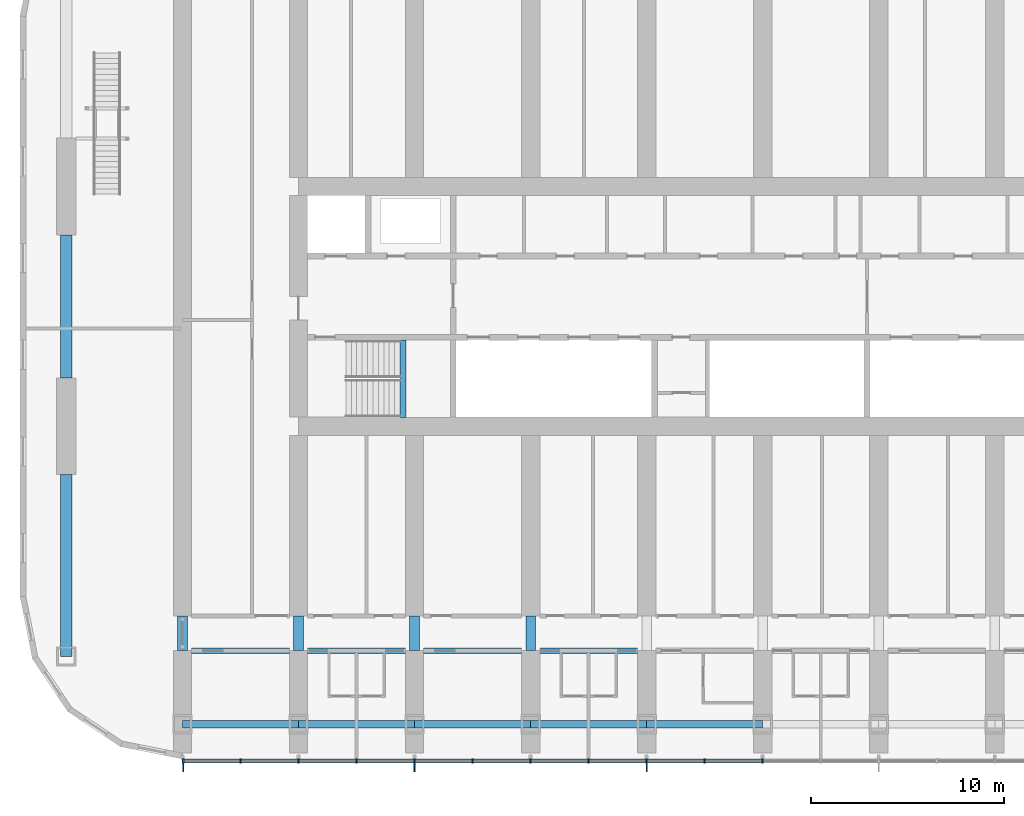
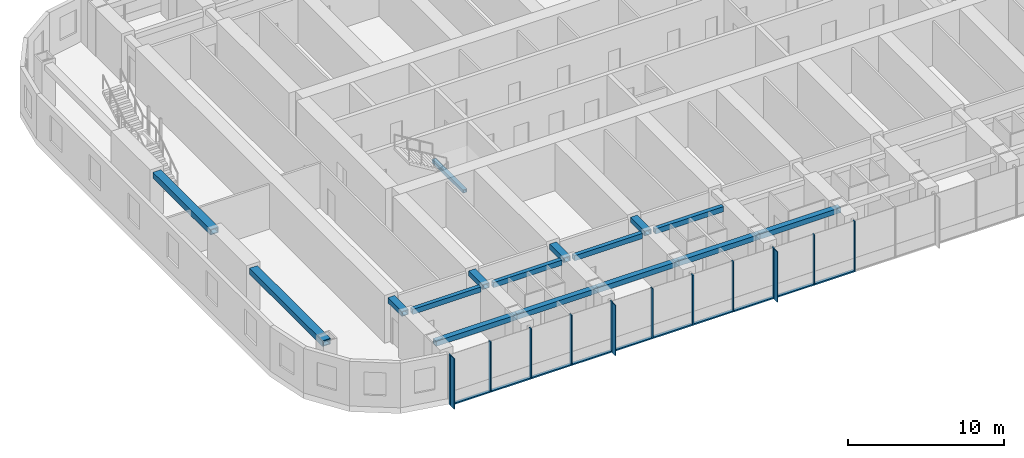
# One storey, part 4 of 25: 24 members, 16 beams, 1 element without a shape of its own.
"""IFC4 building model written with IfcOpenShell, lengths in metres."""

from ifc_helpers import new_model, si_unit, direction, frame, origin, origin_2d, place, context, subcontext, project, spatial, rectangle, hollow_rectangle, extrude, material, material_profile, profile_set, type_object, element, aggregate, save


model = new_model("IFC4")

# Units and contexts
model_context = context("Model", 3, precision=1e-05, world=origin(), true_north=direction((0.0, 1.0)))
body_context = subcontext(model_context, "Body", "Model", "MODEL_VIEW")
ifc_project = project(units=[si_unit("LENGTHUNIT", "METRE"), si_unit("AREAUNIT", "SQUARE_METRE"), si_unit("VOLUMEUNIT", "CUBIC_METRE"), si_unit("PLANEANGLEUNIT", "RADIAN"), si_unit("MASSUNIT", "GRAM", prefix="KILO")], contexts=[model_context])

# Site, building, storey
site_placement = place(None, origin())
site = spatial("IfcSite", under=ifc_project, at=site_placement, CompositionType="ELEMENT")
building_placement = place(site_placement, origin())
building = spatial("IfcBuilding", under=site, at=building_placement, Name="Orbita Commons", CompositionType="ELEMENT")
storey_placement = place(building_placement, frame((0.0, 0.0, 99.39990234375)))
storey = spatial("IfcBuildingStorey", under=building, at=storey_placement, Name="L24", CompositionType="ELEMENT", Elevation=99.39990234375)

# Curtain wall, members
ifc_material_1 = material(Name="Anodised aluminium frame, pale silver", Category="aluminium")
curtain_wall_type = type_object("IfcCurtainWallType", Name="Unitised curtain wall CW-T, vision and spandrel", PredefinedType="NOTDEFINED", material=ifc_material_1)
curtain_wall_placement = place(storey_placement, origin())
curtain_wall = element("IfcCurtainWall", 1, at=curtain_wall_placement, inside=storey, type_object=curtain_wall_type, Name="Curtain wall south L24", PredefinedType="NOTDEFINED")
ifc_material_2 = material(Name="Anodised aluminium, pale silver", Category="aluminium")
ifc_material_profile_1 = material_profile(ifc_material_2, rectangle(XDim=0.080078125, YDim=0.219970703125, at=origin_2d()), Name="AL 80x220")
ifc_profile_set_1 = profile_set([ifc_material_profile_1], Name="Anodised aluminium, pale silver")
member_type_1 = type_object("IfcMemberType", Name="Curtain wall mullion 80x220", PredefinedType="MULLION", material=ifc_profile_set_1)
member_1_placement = place(storey_placement, frame((12.0400390625, 8.489990234375, -0.449951171875), z_axis=(0.0, 0.0, 1.0), x_axis=(1.0, 0.0, 0.0)))
member_1 = element("IfcMember", 2, at=member_1_placement, type_object=member_type_1, Name="Mullion 1 CW-L24-S", PredefinedType="MULLION", context=body_context, shape_type="SweptSolid", body=[
    extrude(rectangle(XDim=0.080078125, YDim=0.219970703125, at=origin_2d()), origin(), (0.0, 0.0, 1.0), 3.949951171875),
])
member_2_placement = place(storey_placement, frame((15.0, 8.489990234375, -0.449951171875), z_axis=(0.0, 0.0, 1.0), x_axis=(1.0, 0.0, 0.0)))
member_2 = element("IfcMember", 3, at=member_2_placement, type_object=member_type_1, Name="Mullion 2 CW-L24-S", PredefinedType="MULLION", context=body_context, shape_type="SweptSolid", body=[
    extrude(rectangle(XDim=0.080078125, YDim=0.219970703125, at=origin_2d()), origin(), (0.0, 0.0, 1.0), 3.949951171875),
])
member_3_placement = place(storey_placement, frame((18.0, 8.489990234375, -0.449951171875), z_axis=(0.0, 0.0, 1.0), x_axis=(1.0, 0.0, 0.0)))
member_3 = element("IfcMember", 4, at=member_3_placement, type_object=member_type_1, Name="Mullion 3 CW-L24-S", PredefinedType="MULLION", context=body_context, shape_type="SweptSolid", body=[
    extrude(rectangle(XDim=0.080078125, YDim=0.219970703125, at=origin_2d()), origin(), (0.0, 0.0, 1.0), 3.949951171875),
])
member_4_placement = place(storey_placement, frame((21.0, 8.489990234375, -0.449951171875), z_axis=(0.0, 0.0, 1.0), x_axis=(1.0, 0.0, 0.0)))
member_4 = element("IfcMember", 5, at=member_4_placement, type_object=member_type_1, Name="Mullion 4 CW-L24-S", PredefinedType="MULLION", context=body_context, shape_type="SweptSolid", body=[
    extrude(rectangle(XDim=0.080078125, YDim=0.219970703125, at=origin_2d()), origin(), (0.0, 0.0, 1.0), 3.949951171875),
])
member_5_placement = place(storey_placement, frame((24.0, 8.489990234375, -0.449951171875), z_axis=(0.0, 0.0, 1.0), x_axis=(1.0, 0.0, 0.0)))
member_5 = element("IfcMember", 6, at=member_5_placement, type_object=member_type_1, Name="Mullion 5 CW-L24-S", PredefinedType="MULLION", context=body_context, shape_type="SweptSolid", body=[
    extrude(rectangle(XDim=0.080078125, YDim=0.219970703125, at=origin_2d()), origin(), (0.0, 0.0, 1.0), 3.949951171875),
])
member_6_placement = place(storey_placement, frame((27.0, 8.489990234375, -0.449951171875), z_axis=(0.0, 0.0, 1.0), x_axis=(1.0, 0.0, 0.0)))
member_6 = element("IfcMember", 7, at=member_6_placement, type_object=member_type_1, Name="Mullion 6 CW-L24-S", PredefinedType="MULLION", context=body_context, shape_type="SweptSolid", body=[
    extrude(rectangle(XDim=0.080078125, YDim=0.219970703125, at=origin_2d()), origin(), (0.0, 0.0, 1.0), 3.949951171875),
])
member_7_placement = place(storey_placement, frame((30.0, 8.489990234375, -0.449951171875), z_axis=(0.0, 0.0, 1.0), x_axis=(1.0, 0.0, 0.0)))
member_7 = element("IfcMember", 8, at=member_7_placement, type_object=member_type_1, Name="Mullion 7 CW-L24-S", PredefinedType="MULLION", context=body_context, shape_type="SweptSolid", body=[
    extrude(rectangle(XDim=0.080078125, YDim=0.219970703125, at=origin_2d()), origin(), (0.0, 0.0, 1.0), 3.949951171875),
])
member_8_placement = place(storey_placement, frame((33.0, 8.489990234375, -0.449951171875), z_axis=(0.0, 0.0, 1.0), x_axis=(1.0, 0.0, 0.0)))
member_8 = element("IfcMember", 9, at=member_8_placement, type_object=member_type_1, Name="Mullion 8 CW-L24-S", PredefinedType="MULLION", context=body_context, shape_type="SweptSolid", body=[
    extrude(rectangle(XDim=0.080078125, YDim=0.219970703125, at=origin_2d()), origin(), (0.0, 0.0, 1.0), 3.949951171875),
])
member_9_placement = place(storey_placement, frame((36.0, 8.489990234375, -0.449951171875), z_axis=(0.0, 0.0, 1.0), x_axis=(1.0, 0.0, 0.0)))
member_9 = element("IfcMember", 10, at=member_9_placement, type_object=member_type_1, Name="Mullion 9 CW-L24-S", PredefinedType="MULLION", context=body_context, shape_type="SweptSolid", body=[
    extrude(rectangle(XDim=0.080078125, YDim=0.219970703125, at=origin_2d()), origin(), (0.0, 0.0, 1.0), 3.949951171875),
])
member_10_placement = place(storey_placement, frame((39.0, 8.489990234375, -0.449951171875), z_axis=(0.0, 0.0, 1.0), x_axis=(1.0, 0.0, 0.0)))
member_10 = element("IfcMember", 11, at=member_10_placement, type_object=member_type_1, Name="Mullion 10 CW-L24-S", PredefinedType="MULLION", context=body_context, shape_type="SweptSolid", body=[
    extrude(rectangle(XDim=0.080078125, YDim=0.219970703125, at=origin_2d()), origin(), (0.0, 0.0, 1.0), 3.949951171875),
])
member_11_placement = place(storey_placement, frame((42.0, 8.489990234375, -0.449951171875), z_axis=(0.0, 0.0, 1.0), x_axis=(1.0, 0.0, 0.0)))
member_11 = element("IfcMember", 12, at=member_11_placement, type_object=member_type_1, Name="Mullion 11 CW-L24-S", PredefinedType="MULLION", context=body_context, shape_type="SweptSolid", body=[
    extrude(rectangle(XDim=0.080078125, YDim=0.219970703125, at=origin_2d()), origin(), (0.0, 0.0, 1.0), 3.949951171875),
])
ifc_material_3 = material(Name="Anodised aluminium, pale silver", Category="aluminium")
ifc_material_profile_2 = material_profile(ifc_material_3, rectangle(XDim=0.219970703125, YDim=0.10009765625, at=origin_2d()), Name="AL 220x100")
ifc_profile_set_2 = profile_set([ifc_material_profile_2], Name="Anodised aluminium, pale silver")
member_type_2 = type_object("IfcMemberType", Name="Curtain wall stack transom 220x100", PredefinedType="USERDEFINED", material=ifc_profile_set_2)
member_12_placement = place(storey_placement, frame((12.080078125, 8.489990234375, -0.39990234375), z_axis=(1.0, 0.0, 0.0), x_axis=(0.0, 1.0, 0.0)))
member_12 = element("IfcMember", 13, at=member_12_placement, type_object=member_type_2, Name="Transom 1.1 CW-L24-S", ObjectType="TRANSOM", PredefinedType="USERDEFINED", context=body_context, shape_type="SweptSolid", body=[
    extrude(rectangle(XDim=0.219970703125, YDim=0.10009765625, at=origin_2d()), origin(), (0.0, 0.0, 1.0), 2.8798828125),
])
member_13_placement = place(storey_placement, frame((15.0400390625, 8.489990234375, -0.39990234375), z_axis=(1.0, 0.0, 0.0), x_axis=(0.0, 1.0, 0.0)))
member_13 = element("IfcMember", 14, at=member_13_placement, type_object=member_type_2, Name="Transom 2.1 CW-L24-S", ObjectType="TRANSOM", PredefinedType="USERDEFINED", context=body_context, shape_type="SweptSolid", body=[
    extrude(rectangle(XDim=0.219970703125, YDim=0.10009765625, at=origin_2d()), origin(), (0.0, 0.0, 1.0), 2.919921875),
])
member_14_placement = place(storey_placement, frame((18.0400390625, 8.489990234375, -0.39990234375), z_axis=(1.0, 0.0, 0.0), x_axis=(0.0, 1.0, 0.0)))
member_14 = element("IfcMember", 15, at=member_14_placement, type_object=member_type_2, Name="Transom 3.1 CW-L24-S", ObjectType="TRANSOM", PredefinedType="USERDEFINED", context=body_context, shape_type="SweptSolid", body=[
    extrude(rectangle(XDim=0.219970703125, YDim=0.10009765625, at=origin_2d()), origin(), (0.0, 0.0, 1.0), 2.919921875),
])
member_15_placement = place(storey_placement, frame((21.0400390625, 8.489990234375, -0.39990234375), z_axis=(1.0, 0.0, 0.0), x_axis=(0.0, 1.0, 0.0)))
member_15 = element("IfcMember", 16, at=member_15_placement, type_object=member_type_2, Name="Transom 4.1 CW-L24-S", ObjectType="TRANSOM", PredefinedType="USERDEFINED", context=body_context, shape_type="SweptSolid", body=[
    extrude(rectangle(XDim=0.219970703125, YDim=0.10009765625, at=origin_2d()), origin(), (0.0, 0.0, 1.0), 2.919921875),
])
member_16_placement = place(storey_placement, frame((24.0400390625, 8.489990234375, -0.39990234375), z_axis=(1.0, 0.0, 0.0), x_axis=(0.0, 1.0, 0.0)))
member_16 = element("IfcMember", 17, at=member_16_placement, type_object=member_type_2, Name="Transom 5.1 CW-L24-S", ObjectType="TRANSOM", PredefinedType="USERDEFINED", context=body_context, shape_type="SweptSolid", body=[
    extrude(rectangle(XDim=0.219970703125, YDim=0.10009765625, at=origin_2d()), origin(), (0.0, 0.0, 1.0), 2.919921875),
])
member_17_placement = place(storey_placement, frame((27.0400390625, 8.489990234375, -0.39990234375), z_axis=(1.0, 0.0, 0.0), x_axis=(0.0, 1.0, 0.0)))
member_17 = element("IfcMember", 18, at=member_17_placement, type_object=member_type_2, Name="Transom 6.1 CW-L24-S", ObjectType="TRANSOM", PredefinedType="USERDEFINED", context=body_context, shape_type="SweptSolid", body=[
    extrude(rectangle(XDim=0.219970703125, YDim=0.10009765625, at=origin_2d()), origin(), (0.0, 0.0, 1.0), 2.919921875),
])
member_18_placement = place(storey_placement, frame((30.0400390625, 8.489990234375, -0.39990234375), z_axis=(1.0, 0.0, 0.0), x_axis=(0.0, 1.0, 0.0)))
member_18 = element("IfcMember", 19, at=member_18_placement, type_object=member_type_2, Name="Transom 7.1 CW-L24-S", ObjectType="TRANSOM", PredefinedType="USERDEFINED", context=body_context, shape_type="SweptSolid", body=[
    extrude(rectangle(XDim=0.219970703125, YDim=0.10009765625, at=origin_2d()), origin(), (0.0, 0.0, 1.0), 2.919921875),
])
member_19_placement = place(storey_placement, frame((33.0400390625, 8.489990234375, -0.39990234375), z_axis=(1.0, 0.0, 0.0), x_axis=(0.0, 1.0, 0.0)))
member_19 = element("IfcMember", 20, at=member_19_placement, type_object=member_type_2, Name="Transom 8.1 CW-L24-S", ObjectType="TRANSOM", PredefinedType="USERDEFINED", context=body_context, shape_type="SweptSolid", body=[
    extrude(rectangle(XDim=0.219970703125, YDim=0.10009765625, at=origin_2d()), origin(), (0.0, 0.0, 1.0), 2.919921875),
])
member_20_placement = place(storey_placement, frame((36.0400390625, 8.489990234375, -0.39990234375), z_axis=(1.0, 0.0, 0.0), x_axis=(0.0, 1.0, 0.0)))
member_20 = element("IfcMember", 21, at=member_20_placement, type_object=member_type_2, Name="Transom 9.1 CW-L24-S", ObjectType="TRANSOM", PredefinedType="USERDEFINED", context=body_context, shape_type="SweptSolid", body=[
    extrude(rectangle(XDim=0.219970703125, YDim=0.10009765625, at=origin_2d()), origin(), (0.0, 0.0, 1.0), 2.919921875),
])
member_21_placement = place(storey_placement, frame((39.0400390625, 8.489990234375, -0.39990234375), z_axis=(1.0, 0.0, 0.0), x_axis=(0.0, 1.0, 0.0)))
member_21 = element("IfcMember", 22, at=member_21_placement, type_object=member_type_2, Name="Transom 10.1 CW-L24-S", ObjectType="TRANSOM", PredefinedType="USERDEFINED", context=body_context, shape_type="SweptSolid", body=[
    extrude(rectangle(XDim=0.219970703125, YDim=0.10009765625, at=origin_2d()), origin(), (0.0, 0.0, 1.0), 2.919921875),
])

# Beams
ifc_material_4 = material(Name="Steel ASTM A572 Gr 50 welded plate", Category="steel")
ifc_material_profile_3 = material_profile(ifc_material_4, hollow_rectangle(XDim=0.300048828125, YDim=0.25, WallThickness=0.02490234375, at=origin_2d()), Name="BOX 250x300x25")
ifc_profile_set_3 = profile_set([ifc_material_profile_3], Name="Steel ASTM A572 Gr 50 welded plate")
beam_type_1 = type_object("IfcBeamType", Name="Stair landing beam steel BOX 250x300x25", PredefinedType="BEAM", material=ifc_profile_set_3)
beam_1_placement = place(storey_placement, frame((23.39990234375, 26.260009765625, 1.550048828125), z_axis=(0.0, 1.0, 0.0), x_axis=(-1.0, 0.0, 0.0)))
element("IfcBeam", 23, at=beam_1_placement, inside=storey, type_object=beam_type_1, Name="Stair S1 landing beam L24 1", PredefinedType="BEAM", context=body_context, shape_type="SweptSolid", body=[
    extrude(hollow_rectangle(XDim=0.300048828125, YDim=0.25, WallThickness=0.02490234375, at=origin_2d()), origin(), (0.0, 0.0, 1.0), 4.0048828125),
])
ifc_material_5 = material(Name="Steel ASTM A572 Gr 50 welded plate", Category="steel")
ifc_material_profile_4 = material_profile(ifc_material_5, hollow_rectangle(XDim=0.300048828125, YDim=0.39990234375, WallThickness=0.0400390625, at=origin_2d()), Name="BOX 400x300x40")
ifc_profile_set_4 = profile_set([ifc_material_profile_4], Name="Steel ASTM A572 Gr 50 welded plate")
beam_type_2 = type_object("IfcBeamType", Name="Steel corridor link BOX 400x300x40", PredefinedType="BEAM", material=ifc_profile_set_4)
for number, where, z_axis, x_axis, name in (
    (24, (12.47509765625, 14.199951171875, 3.300048828125), (1.0, 0.0, 0.0), (0.0, 1.0, 0.0), "Corridor beam SA 3-4 L24"),
    (25, (18.47509765625, 14.199951171875, 3.300048828125), (1.0, 0.0, 0.0), (0.0, 1.0, 0.0), "Corridor beam SA 4-5 L24"),
    (26, (24.47509765625, 14.199951171875, 3.300048828125), (1.0, 0.0, 0.0), (0.0, 1.0, 0.0), "Corridor beam SA 5-6 L24"),
    (27, (30.47509765625, 14.199951171875, 3.300048828125), (1.0, 0.0, 0.0), (0.0, 1.0, 0.0), "Corridor beam SA 6-7 L24"),
):
    element("IfcBeam", number, at=place(storey_placement, frame(where, z_axis=z_axis, x_axis=x_axis)), inside=storey, type_object=beam_type_2, Name=name, PredefinedType="BEAM", context=body_context, shape_type="SweptSolid", body=[
        extrude(hollow_rectangle(XDim=0.300048828125, YDim=0.39990234375, WallThickness=0.0400390625, at=origin_2d()), origin(), (0.0, 0.0, 1.0), 5.0498046875),
    ])
ifc_material_6 = material(Name="Steel ASTM A572 Gr 50 welded plate", Category="steel")
ifc_material_profile_5 = material_profile(ifc_material_6, hollow_rectangle(XDim=0.5, YDim=0.39990234375, WallThickness=0.050048828125, at=origin_2d()), Name="BOX 400x500x50")
ifc_profile_set_5 = profile_set([ifc_material_profile_5], Name="Steel ASTM A572 Gr 50 welded plate")
beam_type_3 = type_object("IfcBeamType", Name="Steel coupling link BOX 400x500x50", PredefinedType="LINTEL", material=ifc_profile_set_5)
for number, where, z_axis, x_axis, name in (
    (28, (12.0, 14.199951171875, 3.300048828125), (0.0, 1.0, 0.0), (-1.0, 0.0, 0.0), "Coupling beam 3 south L24"),
    (29, (18.0, 14.199951171875, 3.300048828125), (0.0, 1.0, 0.0), (-1.0, 0.0, 0.0), "Coupling beam 4 south L24"),
    (30, (24.0, 14.199951171875, 3.300048828125), (0.0, 1.0, 0.0), (-1.0, 0.0, 0.0), "Coupling beam 5 south L24"),
    (31, (30.0, 14.199951171875, 3.300048828125), (0.0, 1.0, 0.0), (-1.0, 0.0, 0.0), "Coupling beam 6 south L24"),
):
    element("IfcBeam", number, at=place(storey_placement, frame(where, z_axis=z_axis, x_axis=x_axis)), inside=storey, type_object=beam_type_3, Name=name, PredefinedType="LINTEL", context=body_context, shape_type="SweptSolid", body=[
        extrude(hollow_rectangle(XDim=0.5, YDim=0.39990234375, WallThickness=0.050048828125, at=origin_2d()), origin(), (0.0, 0.0, 1.0), 1.800048828125),
    ])
ifc_material_7 = material(Name="Steel ASTM A572 Gr 50 welded plate", Category="steel")
ifc_material_profile_6 = material_profile(ifc_material_7, hollow_rectangle(XDim=0.60009765625, YDim=0.449951171875, WallThickness=0.06005859375, at=origin_2d()), Name="BOX 450x600x60")
ifc_profile_set_6 = profile_set([ifc_material_profile_6], Name="Steel ASTM A572 Gr 50 welded plate")
beam_type_4 = type_object("IfcBeamType", Name="Steel end frame link BOX 450x600x60", PredefinedType="BEAM", material=ifc_profile_set_6)
beam_2_placement = place(storey_placement, frame((6.0, 13.89990234375, 3.275146484375), z_axis=(0.0, 1.0, 0.0), x_axis=(-1.0, 0.0, 0.0)))
element("IfcBeam", 32, at=beam_2_placement, inside=storey, type_object=beam_type_4, Name="End frame beam 2 B-C L24", PredefinedType="BEAM", context=body_context, shape_type="SweptSolid", body=[
    extrude(hollow_rectangle(XDim=0.60009765625, YDim=0.449951171875, WallThickness=0.06005859375, at=origin_2d()), origin(), (0.0, 0.0, 1.0), 9.400146484375),
])
beam_3_placement = place(storey_placement, frame((6.0, 28.300048828125, 3.275146484375), z_axis=(0.0, 1.0, 0.0), x_axis=(-1.0, 0.0, 0.0)))
element("IfcBeam", 33, at=beam_3_placement, inside=storey, type_object=beam_type_4, Name="End frame beam 2 C-D L24", PredefinedType="BEAM", context=body_context, shape_type="SweptSolid", body=[
    extrude(hollow_rectangle(XDim=0.60009765625, YDim=0.449951171875, WallThickness=0.06005859375, at=origin_2d()), origin(), (0.0, 0.0, 1.0), 7.39990234375),
])
ifc_material_8 = material(Name="Steel ASTM A572 Gr 50 welded plate", Category="steel")
ifc_material_profile_7 = material_profile(ifc_material_8, hollow_rectangle(XDim=0.39990234375, YDim=0.39990234375, WallThickness=0.0400390625, at=origin_2d()), Name="BOX 400x400x40")
ifc_profile_set_7 = profile_set([ifc_material_profile_7], Name="Steel ASTM A572 Gr 50 welded plate")
beam_type_5 = type_object("IfcBeamType", Name="Steel spandrel BOX 400x400x40", PredefinedType="SPANDREL", material=ifc_profile_set_7)
for number, where, z_axis, x_axis, name in (
    (34, (12.0, 10.39990234375, 3.300048828125), (1.0, 0.0, 0.0), (0.0, 1.0, 0.0), "Spandrel beam B 3-4 L24"),
    (35, (18.0, 10.39990234375, 3.300048828125), (1.0, 0.0, 0.0), (0.0, 1.0, 0.0), "Spandrel beam B 4-5 L24"),
    (36, (24.0, 10.39990234375, 3.300048828125), (1.0, 0.0, 0.0), (0.0, 1.0, 0.0), "Spandrel beam B 5-6 L24"),
    (37, (30.0, 10.39990234375, 3.300048828125), (1.0, 0.0, 0.0), (0.0, 1.0, 0.0), "Spandrel beam B 6-7 L24"),
    (38, (36.0, 10.39990234375, 3.300048828125), (1.0, 0.0, 0.0), (0.0, 1.0, 0.0), "Spandrel beam B 7-8 L24"),
):
    element("IfcBeam", number, at=place(storey_placement, frame(where, z_axis=z_axis, x_axis=x_axis)), inside=storey, type_object=beam_type_5, Name=name, PredefinedType="SPANDREL", context=body_context, shape_type="SweptSolid", body=[
        extrude(hollow_rectangle(XDim=0.39990234375, YDim=0.39990234375, WallThickness=0.0400390625, at=origin_2d()), origin(), (0.0, 0.0, 1.0), 6.0),
    ])

# Member
ifc_material_9 = material(Name="Anodised aluminium, pale silver", Category="aluminium")
ifc_material_profile_8 = material_profile(ifc_material_9, rectangle(XDim=0.06005859375, YDim=0.449951171875, at=origin_2d()), Name="FIN 60x450")
ifc_profile_set_8 = profile_set([ifc_material_profile_8], Name="Anodised aluminium, pale silver")
member_type_3 = type_object("IfcMemberType", Name="Vertical fin 60x450 pale aluminium", PredefinedType="USERDEFINED", material=ifc_profile_set_8)
member_22_placement = place(storey_placement, frame((12.0400390625, 8.155029296875, -0.449951171875), z_axis=(0.0, 0.0, 1.0), x_axis=(1.0, 0.0, 0.0)))
member_22 = element("IfcMember", 39, at=member_22_placement, type_object=member_type_3, Name="Fin 1 CW-L24-S", ObjectType="FIN", PredefinedType="USERDEFINED", context=body_context, shape_type="SweptSolid", body=[
    extrude(rectangle(XDim=0.06005859375, YDim=0.449951171875, at=origin_2d()), origin(), (0.0, 0.0, 1.0), 3.949951171875),
])

member_23_placement = place(storey_placement, frame((24.0, 8.155029296875, -0.449951171875), z_axis=(0.0, 0.0, 1.0), x_axis=(1.0, 0.0, 0.0)))
member_23 = element("IfcMember", 40, at=member_23_placement, type_object=member_type_3, Name="Fin 5 CW-L24-S", ObjectType="FIN", PredefinedType="USERDEFINED", context=body_context, shape_type="SweptSolid", body=[
    extrude(rectangle(XDim=0.06005859375, YDim=0.449951171875, at=origin_2d()), origin(), (0.0, 0.0, 1.0), 3.949951171875),
])

member_24_placement = place(storey_placement, frame((36.0, 8.155029296875, -0.449951171875), z_axis=(0.0, 0.0, 1.0), x_axis=(1.0, 0.0, 0.0)))
member_24 = element("IfcMember", 41, at=member_24_placement, type_object=member_type_3, Name="Fin 9 CW-L24-S", ObjectType="FIN", PredefinedType="USERDEFINED", context=body_context, shape_type="SweptSolid", body=[
    extrude(rectangle(XDim=0.06005859375, YDim=0.449951171875, at=origin_2d()), origin(), (0.0, 0.0, 1.0), 3.949951171875),
])

aggregate(curtain_wall, [member_1, member_22, member_2, member_3, member_4, member_5, member_23, member_6, member_7, member_8, member_9, member_24, member_10, member_11, member_12, member_13, member_14, member_15, member_16, member_17, member_18, member_19, member_20, member_21])

save(model, "model.ifc")
